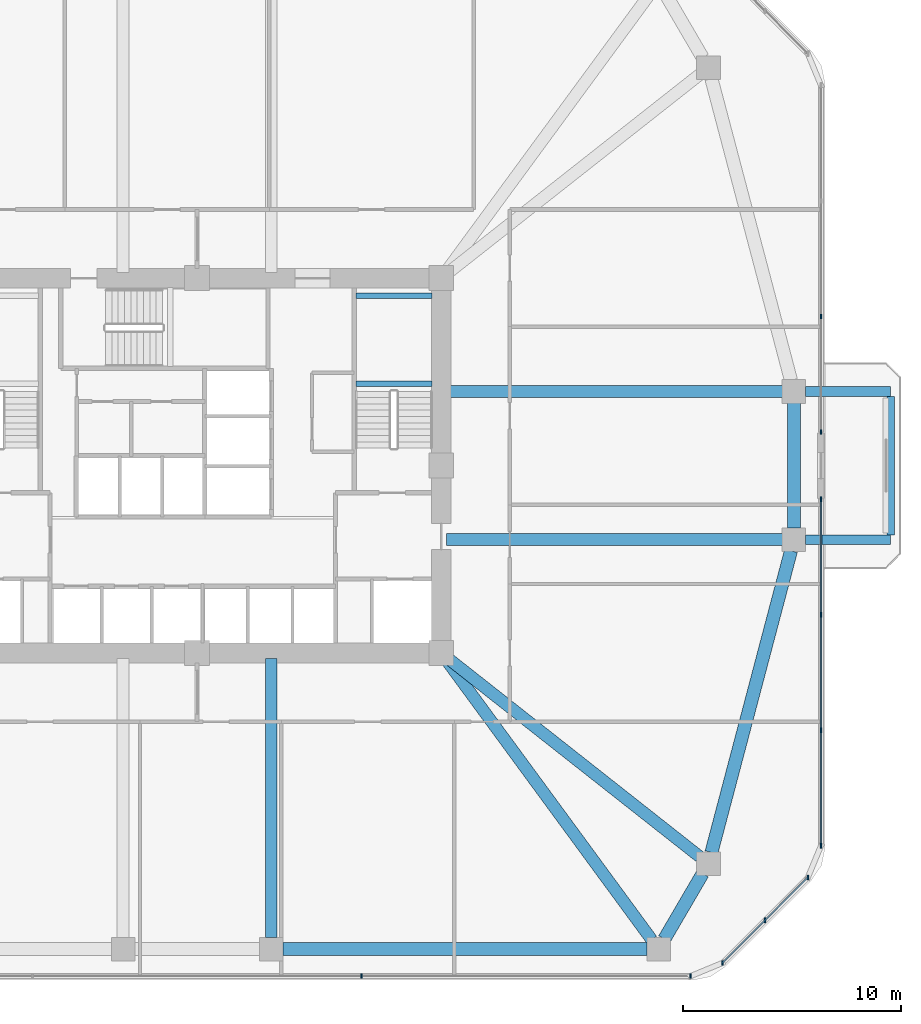
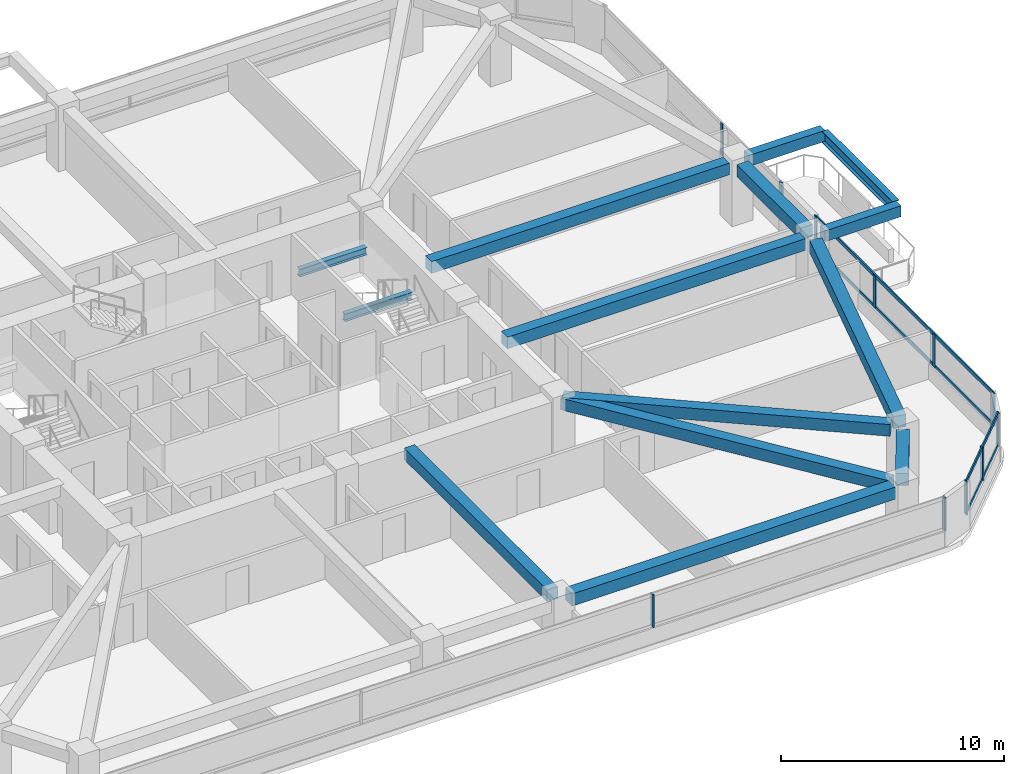
# One storey, part 5 of 15: 15 members, 14 beams, 4 elements without a shape of their own.
"""IFC4 building model written with IfcOpenShell, lengths in metres."""

from ifc_helpers import new_model, si_unit, derived_unit, direction, frame, origin, origin_2d, place, context, subcontext, project, spatial, rectangle, i_section, extrude, material, material_profile, profile_set, type_object, element, aggregate, save


model = new_model("IFC4")

# Units and contexts
model_context = context("Model", 3, precision=1e-05, world=origin(), true_north=direction((0.0, 1.0)))
body_context = subcontext(model_context, "Body", "Model", "MODEL_VIEW")
ifc_project = project(units=[si_unit("LENGTHUNIT", "METRE"), si_unit("AREAUNIT", "SQUARE_METRE"), si_unit("VOLUMEUNIT", "CUBIC_METRE"), si_unit("PLANEANGLEUNIT", "RADIAN"), si_unit("MASSUNIT", "GRAM", prefix="KILO"), derived_unit("THERMALTRANSMITTANCEUNIT", [(si_unit("POWERUNIT", "WATT"), 1), (si_unit("LENGTHUNIT", "METRE"), -2), (si_unit("THERMODYNAMICTEMPERATUREUNIT", "KELVIN"), -1)])], contexts=[model_context])

# Site, building, storey
site_placement = place(None, origin())
site = spatial("IfcSite", under=ifc_project, at=site_placement, CompositionType="ELEMENT")
building_placement = place(site_placement, origin())
building = spatial("IfcBuilding", under=site, at=building_placement, Name="Koralith Skygarden Medical Center", CompositionType="ELEMENT")
storey_placement = place(building_placement, frame((0.0, 0.0, 56.340087890625)))
storey = spatial("IfcBuildingStorey", under=building, at=storey_placement, Name="L14", CompositionType="ELEMENT", Elevation=56.340087890625)

# Curtain wall, members
ifc_material_1 = material(Name="Clear Laminated Glass", Category="glass")
curtain_wall_type = type_object("IfcCurtainWallType", Name="CW-2 Zone 1 Hurricane Unitised Curtain Wall", PredefinedType="NOTDEFINED", material=ifc_material_1)
curtain_wall_1_placement = place(storey_placement, origin())
curtain_wall_1 = element("IfcCurtainWall", 1, at=curtain_wall_1_placement, inside=storey, type_object=curtain_wall_type, Name="Curtain Wall CW-L14-S", PredefinedType="NOTDEFINED")
ifc_material_2 = material(Name="Aluminium 6063-T6", Category="aluminium")
ifc_material_profile_1 = material_profile(ifc_material_2, rectangle(XDim=0.071044921875, YDim=0.219970703125, at=origin_2d()), Name="MUL71X220")
ifc_profile_set_1 = profile_set([ifc_material_profile_1], Name="Aluminium 6063-T6")
member_type_1 = type_object("IfcMemberType", Name="CW-2 Extruded Mullion 71x220", PredefinedType="MULLION", material=ifc_profile_set_1)
member_1_placement = place(storey_placement, frame((44.548095703125, 2.47998046875, 0.849853515625), z_axis=(0.0, 0.0, 1.0), x_axis=(1.0, 0.0, 0.0)))
member_1 = element("IfcMember", 2, at=member_1_placement, type_object=member_type_1, Name="CW-L14-S Mullion 3", PredefinedType="MULLION", context=body_context, shape_type="SweptSolid", body=[
    extrude(rectangle(XDim=0.071044921875, YDim=0.219970703125, at=origin_2d()), origin(), (0.0, 0.0, 1.0), 1.800048828125),
])
member_2_placement = place(storey_placement, frame((59.64501953125, 2.47998046875, 0.849853515625), z_axis=(0.0, 0.0, 1.0), x_axis=(1.0, 0.0, 0.0)))
member_2 = element("IfcMember", 3, at=member_2_placement, type_object=member_type_1, Name="CW-L14-S Mullion 4", PredefinedType="MULLION", context=body_context, shape_type="SweptSolid", body=[
    extrude(rectangle(XDim=0.071044921875, YDim=0.219970703125, at=origin_2d()), origin(), (0.0, 0.0, 1.0), 1.800048828125),
])
aggregate(curtain_wall_1, [member_1, member_2])

curtain_wall_2_placement = place(storey_placement, origin())
curtain_wall_2 = element("IfcCurtainWall", 4, at=curtain_wall_2_placement, inside=storey, type_object=curtain_wall_type, Name="Curtain Wall CW-L14-SE", PredefinedType="NOTDEFINED")
member_3_placement = place(storey_placement, frame((61.095947265625, 3.0810546875, 0.849853515625), z_axis=(0.0, 0.0, 1.0), x_axis=(1.0, 0.0, 0.0)))
member_3 = element("IfcMember", 5, at=member_3_placement, type_object=member_type_1, Name="CW-L14-SE Mullion 1", PredefinedType="MULLION", context=body_context, shape_type="SweptSolid", body=[
    extrude(rectangle(XDim=0.071044921875, YDim=0.219970703125, at=origin_2d()), origin(), (0.0, 0.0, 1.0), 1.800048828125),
])
member_4_placement = place(storey_placement, frame((63.056884765625, 5.0419921875, 0.849853515625), z_axis=(0.0, 0.0, 1.0), x_axis=(1.0, 0.0, 0.0)))
member_4 = element("IfcMember", 6, at=member_4_placement, type_object=member_type_1, Name="CW-L14-SE Mullion 2", PredefinedType="MULLION", context=body_context, shape_type="SweptSolid", body=[
    extrude(rectangle(XDim=0.071044921875, YDim=0.219970703125, at=origin_2d()), origin(), (0.0, 0.0, 1.0), 1.800048828125),
])
member_5_placement = place(storey_placement, frame((65.01904296875, 7.00390625, 0.849853515625), z_axis=(0.0, 0.0, 1.0), x_axis=(1.0, 0.0, 0.0)))
member_5 = element("IfcMember", 7, at=member_5_placement, type_object=member_type_1, Name="CW-L14-SE Mullion 3", PredefinedType="MULLION", context=body_context, shape_type="SweptSolid", body=[
    extrude(rectangle(XDim=0.071044921875, YDim=0.219970703125, at=origin_2d()), origin(), (0.0, 0.0, 1.0), 1.800048828125),
])

curtain_wall_3_placement = place(storey_placement, origin())
curtain_wall_3 = element("IfcCurtainWall", 8, at=curtain_wall_3_placement, inside=storey, type_object=curtain_wall_type, Name="Curtain Wall CW-L14-E-L", PredefinedType="NOTDEFINED")
member_6_placement = place(storey_placement, frame((65.6201171875, 8.455078125, 0.849853515625), z_axis=(0.0, 0.0, 1.0), x_axis=(1.0, 0.0, 0.0)))
member_6 = element("IfcMember", 9, at=member_6_placement, type_object=member_type_1, Name="CW-L14-E-L Mullion 1", PredefinedType="MULLION", context=body_context, shape_type="SweptSolid", body=[
    extrude(rectangle(XDim=0.071044921875, YDim=0.219970703125, at=origin_2d()), origin(), (0.0, 0.0, 1.0), 1.800048828125),
])
member_7_placement = place(storey_placement, frame((65.6201171875, 13.757080078125, 0.849853515625), z_axis=(0.0, 0.0, 1.0), x_axis=(1.0, 0.0, 0.0)))
member_7 = element("IfcMember", 10, at=member_7_placement, type_object=member_type_1, Name="CW-L14-E-L Mullion 2", PredefinedType="MULLION", context=body_context, shape_type="SweptSolid", body=[
    extrude(rectangle(XDim=0.071044921875, YDim=0.219970703125, at=origin_2d()), origin(), (0.0, 0.0, 1.0), 1.800048828125),
])
member_8_placement = place(storey_placement, frame((65.6201171875, 19.05810546875, 0.849853515625), z_axis=(0.0, 0.0, 1.0), x_axis=(1.0, 0.0, 0.0)))
member_8 = element("IfcMember", 11, at=member_8_placement, type_object=member_type_1, Name="CW-L14-E-L Mullion 3", PredefinedType="MULLION", context=body_context, shape_type="SweptSolid", body=[
    extrude(rectangle(XDim=0.071044921875, YDim=0.219970703125, at=origin_2d()), origin(), (0.0, 0.0, 1.0), 1.800048828125),
])
member_9_placement = place(storey_placement, frame((65.6201171875, 24.360107421875, 0.849853515625), z_axis=(0.0, 0.0, 1.0), x_axis=(1.0, 0.0, 0.0)))
member_9 = element("IfcMember", 12, at=member_9_placement, type_object=member_type_1, Name="CW-L14-E-L Mullion 4", PredefinedType="MULLION", context=body_context, shape_type="SweptSolid", body=[
    extrude(rectangle(XDim=0.071044921875, YDim=0.219970703125, at=origin_2d()), origin(), (0.0, 0.0, 1.0), 1.800048828125),
])

curtain_wall_4_placement = place(storey_placement, origin())
curtain_wall_4 = element("IfcCurtainWall", 13, at=curtain_wall_4_placement, inside=storey, type_object=curtain_wall_type, Name="Curtain Wall CW-L14-E-R", PredefinedType="NOTDEFINED")
member_10_placement = place(storey_placement, frame((65.6201171875, 27.43994140625, 0.849853515625), z_axis=(0.0, 0.0, 1.0), x_axis=(1.0, 0.0, 0.0)))
member_10 = element("IfcMember", 14, at=member_10_placement, type_object=member_type_1, Name="CW-L14-E-R Mullion 1", PredefinedType="MULLION", context=body_context, shape_type="SweptSolid", body=[
    extrude(rectangle(XDim=0.071044921875, YDim=0.219970703125, at=origin_2d()), origin(), (0.0, 0.0, 1.0), 1.800048828125),
])
member_11_placement = place(storey_placement, frame((65.6201171875, 32.741943359375, 0.849853515625), z_axis=(0.0, 0.0, 1.0), x_axis=(1.0, 0.0, 0.0)))
member_11 = element("IfcMember", 15, at=member_11_placement, type_object=member_type_1, Name="CW-L14-E-R Mullion 2", PredefinedType="MULLION", context=body_context, shape_type="SweptSolid", body=[
    extrude(rectangle(XDim=0.071044921875, YDim=0.219970703125, at=origin_2d()), origin(), (0.0, 0.0, 1.0), 1.800048828125),
])
aggregate(curtain_wall_4, [member_10, member_11])

# Member
ifc_material_profile_2 = material_profile(ifc_material_2, rectangle(XDim=0.06591796875, YDim=0.197998046875, at=origin_2d()), Name="TRN66X198")
ifc_profile_set_2 = profile_set([ifc_material_profile_2], Name="Aluminium 6063-T6")
member_type_2 = type_object("IfcMemberType", Name="CW-2 Thermal Transom 66x198", PredefinedType="USERDEFINED", material=ifc_profile_set_2)
member_12_placement = place(storey_placement, frame((61.095947265625, 3.0810546875, 0.89990234375), z_axis=(0.707128783731, 0.707084777957, 0.0), x_axis=(-0.707084777957, 0.707128783731, 0.0)))
member_12 = element("IfcMember", 16, at=member_12_placement, type_object=member_type_2, Name="CW-L14-SE Transom 1", ObjectType="TRANSOM", PredefinedType="USERDEFINED", context=body_context, shape_type="SweptSolid", body=[
    extrude(rectangle(XDim=0.06591796875, YDim=0.197998046875, at=origin_2d()), origin(), (0.0, 0.0, 1.0), 5.5478515625),
])

member_13_placement = place(storey_placement, frame((61.095947265625, 3.0810546875, 2.599853515625), z_axis=(0.707128783731, 0.707084777957, 0.0), x_axis=(-0.707084777957, 0.707128783731, 0.0)))
member_13 = element("IfcMember", 17, at=member_13_placement, type_object=member_type_2, Name="CW-L14-SE Transom 2", ObjectType="TRANSOM", PredefinedType="USERDEFINED", context=body_context, shape_type="SweptSolid", body=[
    extrude(rectangle(XDim=0.06591796875, YDim=0.197998046875, at=origin_2d()), origin(), (0.0, 0.0, 1.0), 5.5478515625),
])

aggregate(curtain_wall_2, [member_3, member_4, member_5, member_12, member_13])

member_14_placement = place(storey_placement, frame((65.6201171875, 8.455078125, 0.89990234375), z_axis=(0.0, 1.0, 0.0), x_axis=(-1.0, 0.0, 0.0)))
member_14 = element("IfcMember", 18, at=member_14_placement, type_object=member_type_2, Name="CW-L14-E-L Transom 1", ObjectType="TRANSOM", PredefinedType="USERDEFINED", context=body_context, shape_type="SweptSolid", body=[
    extrude(rectangle(XDim=0.06591796875, YDim=0.197998046875, at=origin_2d()), origin(), (0.0, 0.0, 1.0), 15.905029296875),
])

member_15_placement = place(storey_placement, frame((65.6201171875, 8.455078125, 2.599853515625), z_axis=(0.0, 1.0, 0.0), x_axis=(-1.0, 0.0, 0.0)))
member_15 = element("IfcMember", 19, at=member_15_placement, type_object=member_type_2, Name="CW-L14-E-L Transom 2", ObjectType="TRANSOM", PredefinedType="USERDEFINED", context=body_context, shape_type="SweptSolid", body=[
    extrude(rectangle(XDim=0.06591796875, YDim=0.197998046875, at=origin_2d()), origin(), (0.0, 0.0, 1.0), 15.905029296875),
])

aggregate(curtain_wall_3, [member_6, member_7, member_8, member_9, member_14, member_15])

# Beams
ifc_material_3 = material(Name="Steel ASTM A992 Grade 50", Category="steel")
ifc_material_profile_3 = material_profile(ifc_material_3, i_section(OverallWidth=0.326904296875, OverallDepth=0.6220703125, WebThickness=0.015380859375, FlangeThickness=0.0244140625, at=origin_2d()), Name="W24X131")
ifc_profile_set_3 = profile_set([ifc_material_profile_3], Name="Steel ASTM A992 Grade 50")
beam_type_1 = type_object("IfcBeamType", Name="Cantilever Tie Beam W24X131", PredefinedType="BEAM", material=ifc_profile_set_3)
beam_1_placement = place(storey_placement, frame((68.820068359375, 22.719970703125, 3.02880859375), z_axis=(0.0, 1.0, 0.0), x_axis=(-1.0, 0.0, 0.0)))
element("IfcBeam", 20, at=beam_1_placement, inside=storey, type_object=beam_type_1, Name="L15 E Balcony Tip Tie Beam", PredefinedType="BEAM", context=body_context, shape_type="SweptSolid", body=[
    extrude(i_section(OverallWidth=0.326904296875, OverallDepth=0.6220703125, WebThickness=0.015380859375, FlangeThickness=0.0244140625, at=origin_2d()), origin(), (0.0, 0.0, 1.0), 6.360107421875),
])
ifc_material_profile_4 = material_profile(ifc_material_3, i_section(OverallWidth=0.260009765625, OverallDepth=0.4150390625, WebThickness=0.010009765625, FlangeThickness=0.016845703125, at=origin_2d()), Name="W16X67")
ifc_profile_set_4 = profile_set([ifc_material_profile_4], Name="Steel ASTM A992 Grade 50")
beam_type_2 = type_object("IfcBeamType", Name="Clinical Floor Joist W16X67", PredefinedType="JOIST", material=ifc_profile_set_4)
for number, where, z_axis, x_axis, name in (
    (21, (44.280029296875, 29.659912109375, 1.391845703125), (1.0, 0.0, 0.0), (0.0, 1.0, 0.0), "L14 Stair ST2 Half-Landing Support Beam 1A"),
    (22, (44.280029296875, 33.699951171875, 1.391845703125), (1.0, 0.0, 0.0), (0.0, 1.0, 0.0), "L14 Stair ST2 Half-Landing Support Beam 1B"),
):
    element("IfcBeam", number, at=place(storey_placement, frame(where, z_axis=z_axis, x_axis=x_axis)), inside=storey, type_object=beam_type_2, Name=name, PredefinedType="JOIST", context=body_context, shape_type="SweptSolid", body=[
        extrude(i_section(OverallWidth=0.260009765625, OverallDepth=0.4150390625, WebThickness=0.010009765625, FlangeThickness=0.016845703125, at=origin_2d()), origin(), (0.0, 0.0, 1.0), 3.489990234375),
    ])
ifc_material_4 = material(Name="Concrete C45/55", Category="concrete")
ifc_material_profile_5 = material_profile(ifc_material_4, rectangle(XDim=0.449951171875, YDim=0.60009765625, at=origin_2d()), Name="RCB450X600")
ifc_profile_set_5 = profile_set([ifc_material_profile_5], Name="Concrete C45/55")
beam_type_3 = type_object("IfcBeamType", Name="Planted Balcony Cantilever Beam RCB450X600", PredefinedType="BEAM", material=ifc_profile_set_5)
for number, where, z_axis, x_axis, name in (
    (23, (64.89990234375, 22.5, 3.039794921875), (1.0, 0.0, 0.0), (0.0, 1.0, 0.0), "L15 E Balcony Cantilever Beam A"),
    (24, (64.89990234375, 29.300048828125, 3.039794921875), (1.0, 0.0, 0.0), (0.0, 1.0, 0.0), "L15 E Balcony Cantilever Beam B"),
):
    element("IfcBeam", number, at=place(storey_placement, frame(where, z_axis=z_axis, x_axis=x_axis)), inside=storey, type_object=beam_type_3, Name=name, PredefinedType="BEAM", context=body_context, shape_type="SweptSolid", body=[
        extrude(rectangle(XDim=0.449951171875, YDim=0.60009765625, at=origin_2d()), origin(), (0.0, 0.0, 1.0), 3.920166015625),
    ])
ifc_material_profile_6 = material_profile(ifc_material_4, rectangle(XDim=0.550048828125, YDim=0.639892578125, at=origin_2d()), Name="RCB550X640")
ifc_profile_set_6 = profile_set([ifc_material_profile_6], Name="Concrete C45/55")
beam_type_4 = type_object("IfcBeamType", Name="Radial Collector Beam RCB550X640", PredefinedType="BEAM", material=ifc_profile_set_6)
beam_2_placement = place(storey_placement, frame((40.39990234375, 17.050048828125, 3.0), z_axis=(0.0, -1.0, 0.0), x_axis=(1.0, 0.0, 0.0)))
element("IfcBeam", 25, at=beam_2_placement, inside=storey, type_object=beam_type_4, Name="L14 Radial Collector Beam RB-05", PredefinedType="BEAM", context=body_context, shape_type="SweptSolid", body=[
    extrude(rectangle(XDim=0.550048828125, YDim=0.639892578125, at=origin_2d()), origin(), (0.0, 0.0, 1.0), 12.800048828125),
])
beam_3_placement = place(storey_placement, frame((48.347900390625, 17.097900390625, 3.0), z_axis=(0.591718052249, -0.806144991079, 0.0), x_axis=(0.806144991079, 0.591718052249, 0.0)))
element("IfcBeam", 26, at=beam_3_placement, inside=storey, type_object=beam_type_4, Name="L14 Radial Collector Beam RB-06", PredefinedType="BEAM", context=body_context, shape_type="SweptSolid", body=[
    extrude(rectangle(XDim=0.550048828125, YDim=0.639892578125, at=origin_2d()), origin(), (0.0, 0.0, 1.0), 16.065185546875),
])
beam_4_placement = place(storey_placement, frame((48.39599609375, 17.14501953125, 3.0), z_axis=(0.785497250365, -0.618865146594, 0.0), x_axis=(0.618865146594, 0.785497250365, 0.0)))
element("IfcBeam", 27, at=beam_4_placement, inside=storey, type_object=beam_type_4, Name="L14 Radial Collector Beam RB-07", PredefinedType="BEAM", context=body_context, shape_type="SweptSolid", body=[
    extrude(rectangle(XDim=0.550048828125, YDim=0.639892578125, at=origin_2d()), origin(), (0.0, 0.0, 1.0), 14.828857421875),
])
for number, where, z_axis, x_axis, name in (
    (28, (48.449951171875, 22.5, 3.0), (1.0, 0.0, 0.0), (0.0, 1.0, 0.0), "L14 Radial Collector Beam RB-08"),
    (29, (48.449951171875, 29.300048828125, 3.0), (1.0, 0.0, 0.0), (0.0, 1.0, 0.0), "L14 Radial Collector Beam RB-09"),
):
    element("IfcBeam", number, at=place(storey_placement, frame(where, z_axis=z_axis, x_axis=x_axis)), inside=storey, type_object=beam_type_4, Name=name, PredefinedType="BEAM", context=body_context, shape_type="SweptSolid", body=[
        extrude(rectangle(XDim=0.550048828125, YDim=0.639892578125, at=origin_2d()), origin(), (0.0, 0.0, 1.0), 15.400146484375),
    ])
ifc_material_profile_7 = material_profile(ifc_material_4, rectangle(XDim=0.60009765625, YDim=0.659912109375, at=origin_2d()), Name="RCB600X660")
ifc_profile_set_7 = profile_set([ifc_material_profile_7], Name="Concrete C45/55")
beam_type_5 = type_object("IfcBeamType", Name="Zone 1 Spandrel Beam RCB600X660", PredefinedType="SPANDREL", material=ifc_profile_set_7)
beam_5_placement = place(storey_placement, frame((40.929931640625, 3.719970703125, 2.989990234375), z_axis=(1.0, 0.0, 0.0), x_axis=(0.0, 1.0, 0.0)))
element("IfcBeam", 30, at=beam_5_placement, inside=storey, type_object=beam_type_5, Name="L14 Perimeter Spandrel Beam SP-05", PredefinedType="SPANDREL", context=body_context, shape_type="SweptSolid", body=[
    extrude(rectangle(XDim=0.60009765625, YDim=0.659912109375, at=origin_2d()), origin(), (0.0, 0.0, 1.0), 16.7080078125),
])
beam_6_placement = place(storey_placement, frame((58.43603515625, 4.177978515625, 2.989990234375), z_axis=(0.504638660636, 0.863330656349, 0.0), x_axis=(-0.863330656349, 0.504638660636, 0.0)))
element("IfcBeam", 31, at=beam_6_placement, inside=storey, type_object=beam_type_5, Name="L14 Perimeter Spandrel Beam SP-06", PredefinedType="SPANDREL", context=body_context, shape_type="SweptSolid", body=[
    extrude(rectangle(XDim=0.60009765625, YDim=0.659912109375, at=origin_2d()), origin(), (0.0, 0.0, 1.0), 3.4794921875),
])
beam_7_placement = place(storey_placement, frame((60.594970703125, 8.152099609375, 2.989990234375), z_axis=(0.255088684842, 0.966917660851, 0.0), x_axis=(-0.966917660851, 0.255088684842, 0.0)))
element("IfcBeam", 32, at=beam_7_placement, inside=storey, type_object=beam_type_5, Name="L14 Perimeter Spandrel Beam SP-07", PredefinedType="SPANDREL", context=body_context, shape_type="SweptSolid", body=[
    extrude(rectangle(XDim=0.60009765625, YDim=0.659912109375, at=origin_2d()), origin(), (0.0, 0.0, 1.0), 14.309326171875),
])
beam_8_placement = place(storey_placement, frame((64.3798828125, 23.030029296875, 2.989990234375), z_axis=(0.0, 1.0, 0.0), x_axis=(-1.0, 0.0, 0.0)))
element("IfcBeam", 33, at=beam_8_placement, inside=storey, type_object=beam_type_5, Name="L14 Perimeter Spandrel Beam SP-08", PredefinedType="SPANDREL", context=body_context, shape_type="SweptSolid", body=[
    extrude(rectangle(XDim=0.60009765625, YDim=0.659912109375, at=origin_2d()), origin(), (0.0, 0.0, 1.0), 5.739990234375),
])

save(model, "model.ifc")
